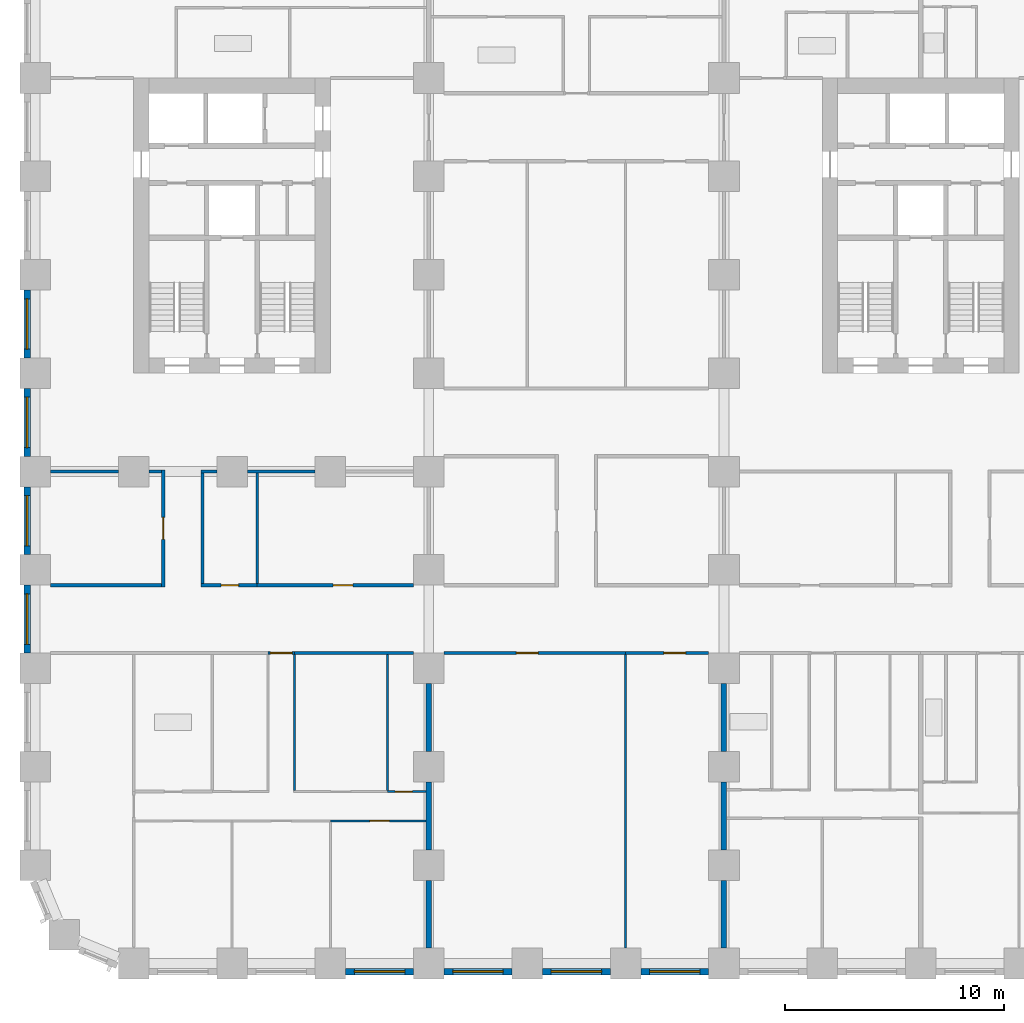
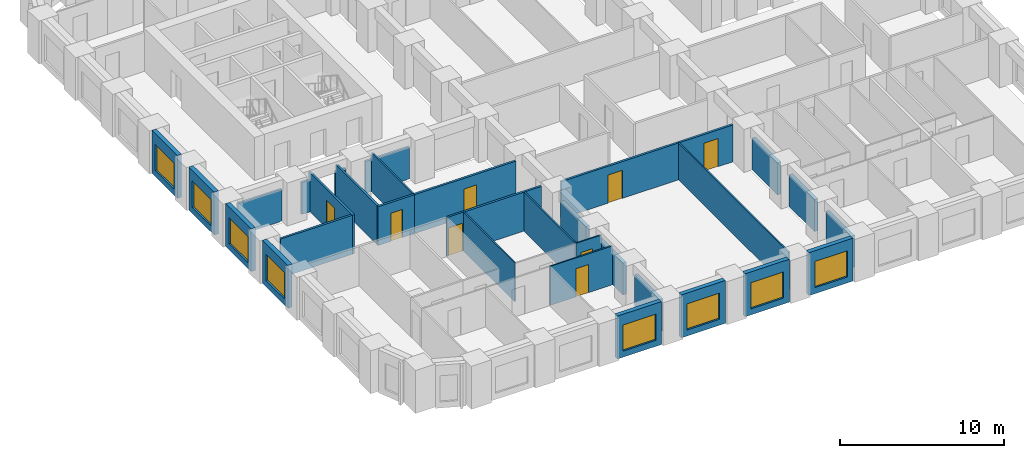
# One storey, part 3 of 13: 33 walls, 8 doors, 8 windows, 16 openings.
"""IFC4 building model written with IfcOpenShell, lengths in metres."""

from ifc_helpers import new_model, si_unit, direction, frame, frame_2d, origin, place, context, subcontext, project, spatial, rectangle, extrude, material, layer, layer_set, type_object, element, fill, save


model = new_model("IFC4")

# Units and contexts
model_context = context("Model", 3, precision=1e-05, world=origin(), true_north=direction((0.0, 1.0)))
body_context = subcontext(model_context, "Body", "Model", "MODEL_VIEW")
ifc_project = project(units=[si_unit("LENGTHUNIT", "METRE"), si_unit("AREAUNIT", "SQUARE_METRE"), si_unit("VOLUMEUNIT", "CUBIC_METRE"), si_unit("PLANEANGLEUNIT", "RADIAN"), si_unit("MASSUNIT", "GRAM", prefix="KILO")], contexts=[model_context])

# Site, building, storey
site_placement = place(None, origin())
site = spatial("IfcSite", under=ifc_project, at=site_placement, CompositionType="ELEMENT")
building_placement = place(site_placement, origin())
building = spatial("IfcBuilding", under=site, at=building_placement, Name="Girih Gate Residences", CompositionType="ELEMENT")
storey_placement = place(building_placement, frame((0.0, 0.0, 52.800048828125)))
storey = spatial("IfcBuildingStorey", under=building, at=storey_placement, Name="L13", CompositionType="ELEMENT", Elevation=52.800048828125)

# Walls
ifc_material_1 = material(Name="Gypsum board on steel studs", Category="steel")
ifc_layer_1 = layer(ifc_material_1, 0.25)
ifc_layer_set_1 = layer_set([ifc_layer_1], Name="Acoustic separating wall 250 mm")
wall_type_1 = type_object("IfcWallType", Name="Acoustic separating wall 250 mm", PredefinedType="PARTITIONING", material=ifc_layer_set_1)
for number, where, z_axis, x_axis, name in (
    (1, (18.0, 5.199951171875, 0.0), (0.0, 0.0, 1.0), (0.0, 1.0, 0.0), "L13 partition"),
    (2, (18.0, 0.699951171875, 0.0), (0.0, 0.0, 1.0), (0.0, 1.0, 0.0), "L13 partition"),
    (3, (18.0, 9.699951171875, 0.0), (0.0, 0.0, 1.0), (0.0, 1.0, 0.0), "L13 partition"),
    (4, (31.5, 9.699951171875, 0.0), (0.0, 0.0, 1.0), (0.0, 1.0, 0.0), "L13 partition"),
    (5, (31.5, 0.699951171875, 0.0), (0.0, 0.0, 1.0), (0.0, 1.0, 0.0), "L13 partition"),
    (6, (31.5, 5.199951171875, 0.0), (0.0, 0.0, 1.0), (0.0, 1.0, 0.0), "L13 partition"),
):
    element("IfcWall", number, at=place(storey_placement, frame(where, z_axis=z_axis, x_axis=x_axis)), inside=storey, type_object=wall_type_1, Name=name, PredefinedType="PARTITIONING", context=body_context, shape_type="SweptSolid", body=[
        extrude(rectangle(XDim=3.10009765625, YDim=0.25, at=frame_2d((1.550048828125, 0.0))), origin(), (0.0, 0.0, 1.0), 2.3798828125),
    ])

# Wall, opening, door
ifc_layer_2 = layer(ifc_material_1, 0.14990234375)
ifc_layer_set_2 = layer_set([ifc_layer_2], Name="Compartment wall 150 mm")
wall_type_2 = type_object("IfcWallType", Name="Compartment wall 150 mm", PredefinedType="PARTITIONING", material=ifc_layer_set_2)
wall_1_placement = place(storey_placement, frame((11.85009765625, 14.199951171875, 0.0), z_axis=(0.0, 0.0, 1.0), x_axis=(-1.0, 0.0, 0.0)))
wall_1 = element("IfcWall", 7, at=wall_1_placement, inside=storey, type_object=wall_type_2, Name="L13 partition", PredefinedType="PARTITIONING", context=body_context, shape_type="SweptSolid", body=[
    extrude(rectangle(XDim=1.2001953125, YDim=0.14990234375, at=frame_2d((0.60009765625, 0.0))), origin(), (0.0, 0.0, 1.0), 2.89990234375),
])
opening_1_placement = place(wall_1_placement, frame((0.10009765625, 0.0, 0.0)))
opening_1 = element("IfcOpeningElement", 8, at=opening_1_placement, cuts=wall_1, Name="Opening A13-009", PredefinedType="OPENING", context=body_context, shape_type="SweptSolid", body=[
    extrude(rectangle(XDim=1.0, YDim=2.10009765625, at=frame_2d((0.5, 1.050048828125))), frame((0.0, 0.0849609375, 0.0), z_axis=(0.0, -1.0, 0.0), x_axis=(1.0, 0.0, 0.0)), (0.0, 0.0, 1.0), 0.169921875),
])
ifc_material_2 = material(Name="Timber, fire-rated core", Category="wood")
door_type_1 = type_object("IfcDoorType", Name="Flat entrance door 1000x2100 FD30S", OperationType="NOTDEFINED", PredefinedType="DOOR", material=ifc_material_2)
door_1_placement = place(opening_1_placement, origin())
door_1 = element("IfcDoor", 9, at=door_1_placement, inside=storey, type_object=door_type_1, Name="Door A13-009", OperationType="SINGLE_SWING_RIGHT", OverallHeight=2.10009765625, OverallWidth=1.0, PredefinedType="DOOR", context=body_context, shape_type="SweptSolid", body=[
    extrude(rectangle(XDim=1.0, YDim=2.10009765625, at=frame_2d((0.5, 1.050048828125))), frame((0.0, 0.02490234375, 0.0), z_axis=(0.0, -1.0, 0.0), x_axis=(1.0, 0.0, 0.0)), (0.0, 0.0, 1.0), 0.050048828125),
])
fill(opening_1, door_1)

# Wall
wall_2_placement = place(storey_placement, frame((11.85009765625, 14.199951171875, 0.0), z_axis=(0.0, 0.0, 1.0), x_axis=(1.0, 0.0, 0.0)))
element("IfcWall", 10, at=wall_2_placement, inside=storey, type_object=wall_type_2, Name="L13 partition", PredefinedType="PARTITIONING", context=body_context, shape_type="SweptSolid", body=[
    extrude(rectangle(XDim=5.449951171875, YDim=0.14990234375, at=frame_2d((2.72509765625, 0.0))), origin(), (0.0, 0.0, 1.0), 2.89990234375),
])

# Wall, opening, door
wall_3_placement = place(storey_placement, frame((27.0, 14.199951171875, 0.0), z_axis=(0.0, 0.0, 1.0), x_axis=(-1.0, 0.0, 0.0)))
wall_3 = element("IfcWall", 11, at=wall_3_placement, inside=storey, type_object=wall_type_2, Name="L13 partition", PredefinedType="PARTITIONING", context=body_context, shape_type="SweptSolid", body=[
    extrude(rectangle(XDim=8.300048828125, YDim=0.14990234375, at=frame_2d((4.14990234375, 0.0))), origin(), (0.0, 0.0, 1.0), 2.75),
])
opening_2_placement = place(wall_3_placement, frame((4.0, 0.0, 0.0)))
opening_2 = element("IfcOpeningElement", 12, at=opening_2_placement, cuts=wall_3, Name="Opening A13-050", PredefinedType="OPENING", context=body_context, shape_type="SweptSolid", body=[
    extrude(rectangle(XDim=1.0, YDim=2.10009765625, at=frame_2d((0.5, 1.050048828125))), frame((0.0, 0.0849609375, 0.0), z_axis=(0.0, -1.0, 0.0), x_axis=(1.0, 0.0, 0.0)), (0.0, 0.0, 1.0), 0.169921875),
])
door_type_2 = type_object("IfcDoorType", Name="Amenity room door 1000x2100 FD30S", OperationType="NOTDEFINED", PredefinedType="DOOR", material=ifc_material_2)
door_2_placement = place(opening_2_placement, origin())
door_2 = element("IfcDoor", 13, at=door_2_placement, inside=storey, type_object=door_type_2, Name="Door A13-050", OperationType="SINGLE_SWING_RIGHT", OverallHeight=2.10009765625, OverallWidth=1.0, PredefinedType="DOOR", context=body_context, shape_type="SweptSolid", body=[
    extrude(rectangle(XDim=1.0, YDim=2.10009765625, at=frame_2d((0.5, 1.050048828125))), frame((0.0, 0.02490234375, 0.0), z_axis=(0.0, -1.0, 0.0), x_axis=(1.0, 0.0, 0.0)), (0.0, 0.0, 1.0), 0.050048828125),
])
fill(opening_2, door_2)

wall_4_placement = place(storey_placement, frame((30.800048828125, 14.199951171875, 0.0), z_axis=(0.0, 0.0, 1.0), x_axis=(-1.0, 0.0, 0.0)))
wall_4 = element("IfcWall", 14, at=wall_4_placement, inside=storey, type_object=wall_type_2, Name="L13 partition", PredefinedType="PARTITIONING", context=body_context, shape_type="SweptSolid", body=[
    extrude(rectangle(XDim=3.800048828125, YDim=0.14990234375, at=frame_2d((1.89990234375, 0.0))), origin(), (0.0, 0.0, 1.0), 2.75),
])
opening_3_placement = place(wall_4_placement, frame((1.050048828125, 0.0, 0.0)))
opening_3 = element("IfcOpeningElement", 15, at=opening_3_placement, cuts=wall_4, Name="Opening A13-051", PredefinedType="OPENING", context=body_context, shape_type="SweptSolid", body=[
    extrude(rectangle(XDim=1.0, YDim=2.10009765625, at=frame_2d((0.5, 1.050048828125))), frame((0.0, 0.0849609375, 0.0), z_axis=(0.0, -1.0, 0.0), x_axis=(1.0, 0.0, 0.0)), (0.0, 0.0, 1.0), 0.169921875),
])
door_3_placement = place(opening_3_placement, origin())
door_3 = element("IfcDoor", 16, at=door_3_placement, inside=storey, type_object=door_type_2, Name="Door A13-051", OperationType="SINGLE_SWING_LEFT", OverallHeight=2.10009765625, OverallWidth=1.0, PredefinedType="DOOR", context=body_context, shape_type="SweptSolid", body=[
    extrude(rectangle(XDim=1.0, YDim=2.10009765625, at=frame_2d((0.5, 1.050048828125))), frame((0.0, 0.02490234375, 0.0), z_axis=(0.0, -1.0, 0.0), x_axis=(1.0, 0.0, 0.0)), (0.0, 0.0, 1.0), 0.050048828125),
])
fill(opening_3, door_3)

wall_5_placement = place(storey_placement, frame((10.14990234375, 17.300048828125, 0.0), z_axis=(0.0, 0.0, 1.0), x_axis=(1.0, 0.0, 0.0)))
wall_5 = element("IfcWall", 17, at=wall_5_placement, inside=storey, type_object=wall_type_2, Name="L13 partition", PredefinedType="PARTITIONING", context=body_context, shape_type="SweptSolid", body=[
    extrude(rectangle(XDim=7.150146484375, YDim=0.14990234375, at=frame_2d((3.5751953125, 0.0))), origin(), (0.0, 0.0, 1.0), 2.89990234375),
])
opening_4_placement = place(wall_5_placement, frame((3.47509765625, 0.0, 0.0)))
opening_4 = element("IfcOpeningElement", 18, at=opening_4_placement, cuts=wall_5, Name="Opening A13-055", PredefinedType="OPENING", context=body_context, shape_type="SweptSolid", body=[
    extrude(rectangle(XDim=0.89990234375, YDim=2.10009765625, at=frame_2d((0.449951171875, 1.050048828125))), frame((0.0, 0.0849609375, 0.0), z_axis=(0.0, -1.0, 0.0), x_axis=(1.0, 0.0, 0.0)), (0.0, 0.0, 1.0), 0.169921875),
])
ifc_material_3 = material(Name="Timber", Category="wood")
door_type_3 = type_object("IfcDoorType", Name="Service room door 900x2100", OperationType="NOTDEFINED", PredefinedType="DOOR", material=ifc_material_3)
door_4_placement = place(opening_4_placement, origin())
door_4 = element("IfcDoor", 19, at=door_4_placement, inside=storey, type_object=door_type_3, Name="Door A13-055", OperationType="SINGLE_SWING_RIGHT", OverallHeight=2.10009765625, OverallWidth=0.89990234375, PredefinedType="DOOR", context=body_context, shape_type="SweptSolid", body=[
    extrude(rectangle(XDim=0.89990234375, YDim=2.10009765625, at=frame_2d((0.449951171875, 1.050048828125))), frame((0.0, 0.02490234375, 0.0), z_axis=(0.0, -1.0, 0.0), x_axis=(1.0, 0.0, 0.0)), (0.0, 0.0, 1.0), 0.050048828125),
])
fill(opening_4, door_4)

wall_6_placement = place(storey_placement, frame((7.574951171875, 17.300048828125, 0.0), z_axis=(0.0, 0.0, 1.0), x_axis=(1.0, 0.0, 0.0)))
wall_6 = element("IfcWall", 20, at=wall_6_placement, inside=storey, type_object=wall_type_2, Name="L13 partition", PredefinedType="PARTITIONING", context=body_context, shape_type="SweptSolid", body=[
    extrude(rectangle(XDim=2.574951171875, YDim=0.14990234375, at=frame_2d((1.28759765625, 0.0))), origin(), (0.0, 0.0, 1.0), 2.89990234375),
])
opening_5_placement = place(wall_6_placement, frame((0.925048828125, 0.0, 0.0)))
opening_5 = element("IfcOpeningElement", 21, at=opening_5_placement, cuts=wall_6, Name="Opening A13-057", PredefinedType="OPENING", context=body_context, shape_type="SweptSolid", body=[
    extrude(rectangle(XDim=0.800048828125, YDim=2.10009765625, at=frame_2d((0.39990234375, 1.050048828125))), frame((0.0, 0.0849609375, 0.0), z_axis=(0.0, -1.0, 0.0), x_axis=(1.0, 0.0, 0.0)), (0.0, 0.0, 1.0), 0.169921875),
])
door_type_4 = type_object("IfcDoorType", Name="Bathroom door 800x2100", OperationType="NOTDEFINED", PredefinedType="DOOR", material=ifc_material_3)
door_5_placement = place(opening_5_placement, origin())
door_5 = element("IfcDoor", 22, at=door_5_placement, inside=storey, type_object=door_type_4, Name="Door A13-057", OperationType="SINGLE_SWING_RIGHT", OverallHeight=2.10009765625, OverallWidth=0.800048828125, PredefinedType="DOOR", context=body_context, shape_type="SweptSolid", body=[
    extrude(rectangle(XDim=0.800048828125, YDim=2.10009765625, at=frame_2d((0.39990234375, 1.050048828125))), frame((0.0, 0.02490234375, 0.0), z_axis=(0.0, -1.0, 0.0), x_axis=(1.0, 0.0, 0.0)), (0.0, 0.0, 1.0), 0.050048828125),
])
fill(opening_5, door_5)

# Walls
wall_7_placement = place(storey_placement, frame((0.699951171875, 17.300048828125, 0.0), z_axis=(0.0, 0.0, 1.0), x_axis=(1.0, 0.0, 0.0)))
element("IfcWall", 23, at=wall_7_placement, inside=storey, type_object=wall_type_2, Name="L13 partition", PredefinedType="PARTITIONING", context=body_context, shape_type="SweptSolid", body=[
    extrude(rectangle(XDim=5.074951171875, YDim=0.14990234375, at=frame_2d((2.53759765625, 0.0))), origin(), (0.0, 0.0, 1.0), 2.89990234375),
])
wall_8_placement = place(storey_placement, frame((9.699951171875, 22.5, 0.0), z_axis=(0.0, 0.0, 1.0), x_axis=(1.0, 0.0, 0.0)))
element("IfcWall", 24, at=wall_8_placement, inside=storey, type_object=wall_type_2, Name="L13 partition", PredefinedType="PARTITIONING", context=body_context, shape_type="SweptSolid", body=[
    extrude(rectangle(XDim=3.10009765625, YDim=0.14990234375, at=frame_2d((1.550048828125, 0.0))), origin(), (0.0, 0.0, 1.0), 2.3798828125),
])
wall_9_placement = place(storey_placement, frame((7.574951171875, 22.5, 0.0), z_axis=(0.0, 0.0, 1.0), x_axis=(1.0, 0.0, 0.0)))
element("IfcWall", 25, at=wall_9_placement, inside=storey, type_object=wall_type_2, Name="L13 partition", PredefinedType="PARTITIONING", context=body_context, shape_type="SweptSolid", body=[
    extrude(rectangle(XDim=0.72509765625, YDim=0.14990234375, at=frame_2d((0.362548828125, 0.0))), origin(), (0.0, 0.0, 1.0), 2.3798828125),
])
wall_10_placement = place(storey_placement, frame((5.199951171875, 22.5, 0.0), z_axis=(0.0, 0.0, 1.0), x_axis=(1.0, 0.0, 0.0)))
element("IfcWall", 26, at=wall_10_placement, inside=storey, type_object=wall_type_2, Name="L13 partition", PredefinedType="PARTITIONING", context=body_context, shape_type="SweptSolid", body=[
    extrude(rectangle(XDim=0.574951171875, YDim=0.14990234375, at=frame_2d((0.28759765625, 0.0))), origin(), (0.0, 0.0, 1.0), 2.3798828125),
])
wall_11_placement = place(storey_placement, frame((0.699951171875, 22.5, 0.0), z_axis=(0.0, 0.0, 1.0), x_axis=(1.0, 0.0, 0.0)))
element("IfcWall", 27, at=wall_11_placement, inside=storey, type_object=wall_type_2, Name="L13 partition", PredefinedType="PARTITIONING", context=body_context, shape_type="SweptSolid", body=[
    extrude(rectangle(XDim=3.10009765625, YDim=0.14990234375, at=frame_2d((1.550048828125, 0.0))), origin(), (0.0, 0.0, 1.0), 2.3798828125),
])
wall_12_placement = place(storey_placement, frame((7.64990234375, 17.375, 0.0), z_axis=(0.0, 0.0, 1.0), x_axis=(0.0, 1.0, 0.0)))
element("IfcWall", 28, at=wall_12_placement, inside=storey, type_object=wall_type_2, Name="L13 partition", PredefinedType="PARTITIONING", context=body_context, shape_type="SweptSolid", body=[
    extrude(rectangle(XDim=5.050048828125, YDim=0.14990234375, at=frame_2d((2.52490234375, 0.0))), origin(), (0.0, 0.0, 1.0), 2.89990234375),
])

# Wall, opening, door
wall_13_placement = place(storey_placement, frame((5.85009765625, 17.22509765625, 0.0), z_axis=(0.0, 0.0, 1.0), x_axis=(0.0, 1.0, 0.0)))
wall_13 = element("IfcWall", 29, at=wall_13_placement, inside=storey, type_object=wall_type_2, Name="L13 partition", PredefinedType="PARTITIONING", context=body_context, shape_type="SweptSolid", body=[
    extrude(rectangle(XDim=5.349853515625, YDim=0.14990234375, at=frame_2d((2.6748046875, 0.0))), origin(), (0.0, 0.0, 1.0), 2.89990234375),
])
opening_6_placement = place(wall_13_placement, frame((2.175048828125, 0.0, 0.0)))
opening_6 = element("IfcOpeningElement", 30, at=opening_6_placement, cuts=wall_13, Name="Opening A13-059", PredefinedType="OPENING", context=body_context, shape_type="SweptSolid", body=[
    extrude(rectangle(XDim=1.0, YDim=2.10009765625, at=frame_2d((0.5, 1.050048828125))), frame((0.0, 0.0849609375, 0.0), z_axis=(0.0, -1.0, 0.0), x_axis=(1.0, 0.0, 0.0)), (0.0, 0.0, 1.0), 0.169921875),
])
door_6_placement = place(opening_6_placement, origin())
door_6 = element("IfcDoor", 31, at=door_6_placement, inside=storey, type_object=door_type_2, Name="Door A13-059", OperationType="SINGLE_SWING_LEFT", OverallHeight=2.10009765625, OverallWidth=1.0, PredefinedType="DOOR", context=body_context, shape_type="SweptSolid", body=[
    extrude(rectangle(XDim=1.0, YDim=2.10009765625, at=frame_2d((0.5, 1.050048828125))), frame((0.0, 0.02490234375, 0.0), z_axis=(0.0, -1.0, 0.0), x_axis=(1.0, 0.0, 0.0)), (0.0, 0.0, 1.0), 0.050048828125),
])
fill(opening_6, door_6)

ifc_layer_3 = layer(ifc_material_1, 0.10009765625)
ifc_layer_set_3 = layer_set([ifc_layer_3], Name="Partition 100 mm")
wall_type_3 = type_object("IfcWallType", Name="Partition 100 mm", PredefinedType="PARTITIONING", material=ifc_layer_set_3)
wall_14_placement = place(storey_placement, frame((17.875, 6.52001953125, 0.0), z_axis=(0.0, 0.0, 1.0), x_axis=(-1.0, 0.0, 0.0)))
wall_14 = element("IfcWall", 32, at=wall_14_placement, inside=storey, type_object=wall_type_3, Name="L13 partition", PredefinedType="PARTITIONING", context=body_context, shape_type="SweptSolid", body=[
    extrude(rectangle(XDim=4.375, YDim=0.10009765625, at=frame_2d((2.1875, 0.0))), origin(), (0.0, 0.0, 1.0), 2.89990234375),
])
opening_7_placement = place(wall_14_placement, frame((1.675048828125, 0.0, 0.0)))
opening_7 = element("IfcOpeningElement", 33, at=opening_7_placement, cuts=wall_14, Name="Opening A13-004", PredefinedType="OPENING", context=body_context, shape_type="SweptSolid", body=[
    extrude(rectangle(XDim=0.89990234375, YDim=2.10009765625, at=frame_2d((0.449951171875, 1.050048828125))), frame((0.0, 0.06005859375, 0.0), z_axis=(0.0, -1.0, 0.0), x_axis=(1.0, 0.0, 0.0)), (0.0, 0.0, 1.0), 0.1201171875),
])
door_type_5 = type_object("IfcDoorType", Name="Bedroom door 900x2100", OperationType="NOTDEFINED", PredefinedType="DOOR", material=ifc_material_3)
door_7_placement = place(opening_7_placement, origin())
door_7 = element("IfcDoor", 34, at=door_7_placement, inside=storey, type_object=door_type_5, Name="Door A13-004", OperationType="SINGLE_SWING_LEFT", OverallHeight=2.10009765625, OverallWidth=0.89990234375, PredefinedType="DOOR", context=body_context, shape_type="SweptSolid", body=[
    extrude(rectangle(XDim=0.89990234375, YDim=2.10009765625, at=frame_2d((0.449951171875, 1.050048828125))), frame((0.0, 0.02490234375, 0.0), z_axis=(0.0, -1.0, 0.0), x_axis=(1.0, 0.0, 0.0)), (0.0, 0.0, 1.0), 0.050048828125),
])
fill(opening_7, door_7)

# Wall
wall_15_placement = place(storey_placement, frame((11.85009765625, 7.909912109375, 0.0), z_axis=(0.0, 0.0, 1.0), x_axis=(0.0, 1.0, 0.0)))
element("IfcWall", 35, at=wall_15_placement, inside=storey, type_object=wall_type_3, Name="L13 partition", PredefinedType="PARTITIONING", context=body_context, shape_type="SweptSolid", body=[
    extrude(rectangle(XDim=6.215087890625, YDim=0.10009765625, at=frame_2d((3.107421875, 0.0))), origin(), (0.0, 0.0, 1.0), 2.89990234375),
])

# Wall, opening, door
wall_16_placement = place(storey_placement, frame((16.107421875, 7.860107421875, 0.0), z_axis=(0.0, 0.0, 1.0), x_axis=(1.0, 0.0, 0.0)))
wall_16 = element("IfcWall", 36, at=wall_16_placement, inside=storey, type_object=wall_type_3, Name="L13 partition", PredefinedType="PARTITIONING", context=body_context, shape_type="SweptSolid", body=[
    extrude(rectangle(XDim=1.767578125, YDim=0.10009765625, at=frame_2d((0.8837890625, 0.0))), origin(), (0.0, 0.0, 1.0), 2.89990234375),
])
opening_8_placement = place(wall_16_placement, frame((0.34619140625, 0.0, 0.0)))
opening_8 = element("IfcOpeningElement", 37, at=opening_8_placement, cuts=wall_16, Name="Opening A13-007", PredefinedType="OPENING", context=body_context, shape_type="SweptSolid", body=[
    extrude(rectangle(XDim=0.800048828125, YDim=2.10009765625, at=frame_2d((0.39990234375, 1.050048828125))), frame((0.0, 0.06005859375, 0.0), z_axis=(0.0, -1.0, 0.0), x_axis=(1.0, 0.0, 0.0)), (0.0, 0.0, 1.0), 0.1201171875),
])
door_type_6 = type_object("IfcDoorType", Name="Store door 800x2100", OperationType="NOTDEFINED", PredefinedType="DOOR", material=ifc_material_3)
door_8_placement = place(opening_8_placement, origin())
door_8 = element("IfcDoor", 38, at=door_8_placement, inside=storey, type_object=door_type_6, Name="Door A13-007", OperationType="SINGLE_SWING_LEFT", OverallHeight=2.10009765625, OverallWidth=0.800048828125, PredefinedType="DOOR", context=body_context, shape_type="SweptSolid", body=[
    extrude(rectangle(XDim=0.800048828125, YDim=2.10009765625, at=frame_2d((0.39990234375, 1.050048828125))), frame((0.0, 0.02490234375, 0.0), z_axis=(0.0, -1.0, 0.0), x_axis=(1.0, 0.0, 0.0)), (0.0, 0.0, 1.0), 0.050048828125),
])
fill(opening_8, door_8)

# Walls
wall_17_placement = place(storey_placement, frame((16.10693359375, 7.909912109375, 0.0), z_axis=(0.0, 0.0, 1.0), x_axis=(0.0, 1.0, 0.0)))
element("IfcWall", 39, at=wall_17_placement, inside=storey, type_object=wall_type_3, Name="L13 partition", PredefinedType="PARTITIONING", context=body_context, shape_type="SweptSolid", body=[
    extrude(rectangle(XDim=6.215087890625, YDim=0.10009765625, at=frame_2d((3.107421875, 0.0))), origin(), (0.0, 0.0, 1.0), 2.89990234375),
])
wall_18_placement = place(storey_placement, frame((27.0, 0.699951171875, 0.0), z_axis=(0.0, 0.0, 1.0), x_axis=(0.0, 1.0, 0.0)))
element("IfcWall", 40, at=wall_18_placement, inside=storey, type_object=wall_type_3, Name="L13 partition", PredefinedType="PARTITIONING", context=body_context, shape_type="SweptSolid", body=[
    extrude(rectangle(XDim=13.425048828125, YDim=0.10009765625, at=frame_2d((6.71240234375, 0.0))), origin(), (0.0, 0.0, 1.0), 2.75),
])
wall_19_placement = place(storey_placement, frame((10.14990234375, 17.375, 0.0), z_axis=(0.0, 0.0, 1.0), x_axis=(0.0, 1.0, 0.0)))
element("IfcWall", 41, at=wall_19_placement, inside=storey, type_object=wall_type_3, Name="L13 partition", PredefinedType="PARTITIONING", context=body_context, shape_type="SweptSolid", body=[
    extrude(rectangle(XDim=5.050048828125, YDim=0.10009765625, at=frame_2d((2.52490234375, 0.0))), origin(), (0.0, 0.0, 1.0), 2.89990234375),
])

# Wall, opening, window
ifc_material_4 = material(Name="Precast concrete C50/60", Category="concrete")
ifc_layer_4 = layer(ifc_material_4, 0.080078125, Name="Outer leaf")
ifc_material_5 = material(Name="Rigid PIR insulation")
ifc_layer_5 = layer(ifc_material_5, 0.14990234375, Name="Insulation")
ifc_material_6 = material(Name="Precast concrete C40/50", Category="concrete")
ifc_layer_6 = layer(ifc_material_6, 0.070068359375, Name="Inner leaf")
ifc_layer_set_4 = layer_set([ifc_layer_4, ifc_layer_5, ifc_layer_6], Name="Precast concrete C50/60 external wall 300")
wall_type_4 = type_object("IfcWallType", Name="Precast concrete C50/60 external wall 300", PredefinedType="SOLIDWALL", material=ifc_layer_set_4)
wall_20_placement = place(storey_placement, frame((17.300048828125, -0.375, 0.0), z_axis=(0.0, 0.0, 1.0), x_axis=(-1.0, 0.0, 0.0)))
wall_20 = element("IfcWall", 42, at=wall_20_placement, inside=storey, type_object=wall_type_4, Name="External wall S0045_0000.2", PredefinedType="SOLIDWALL", context=body_context, shape_type="SweptSolid", body=[
    extrude(rectangle(XDim=3.10009765625, YDim=0.300048828125, at=frame_2d((1.550048828125, 0.0))), origin(), (0.0, 0.0, 1.0), 3.199951171875),
])
opening_9_placement = place(wall_20_placement, frame((0.39990234375, 0.0, 0.449951171875)))
opening_9 = element("IfcOpeningElement", 43, at=opening_9_placement, cuts=wall_20, Name="Opening W-1", PredefinedType="OPENING", context=body_context, shape_type="SweptSolid", body=[
    extrude(rectangle(XDim=2.300048828125, YDim=1.949951171875, at=frame_2d((1.14990234375, 0.97509765625))), frame((0.0, 0.159912109375, 0.0), z_axis=(0.0, -1.0, 0.0), x_axis=(1.0, 0.0, 0.0)), (0.0, 0.0, 1.0), 0.320068359375),
])
ifc_material_7 = material(Name="Double glazing in aluminium frame", Category="aluminium")
window_type = type_object("IfcWindowType", Name="Window W-1 2300x1950", PartitioningType="SINGLE_PANEL", PredefinedType="WINDOW", material=ifc_material_7)
window_1_placement = place(opening_9_placement, origin())
window_1 = element("IfcWindow", 44, at=window_1_placement, inside=storey, type_object=window_type, Name="Window W-1 S0045_0000.2", OverallHeight=1.949951171875, OverallWidth=2.300048828125, PartitioningType="SINGLE_PANEL", PredefinedType="WINDOW", context=body_context, shape_type="SweptSolid", body=[
    extrude(rectangle(XDim=2.300048828125, YDim=1.949951171875, at=frame_2d((1.14990234375, 0.97509765625))), frame((0.0, 0.030029296875, 0.0), z_axis=(0.0, -1.0, 0.0), x_axis=(1.0, 0.0, 0.0)), (0.0, 0.0, 1.0), 0.06005859375),
])
fill(opening_9, window_1)

wall_21_placement = place(storey_placement, frame((21.800048828125, -0.375, 0.0), z_axis=(0.0, 0.0, 1.0), x_axis=(-1.0, 0.0, 0.0)))
wall_21 = element("IfcWall", 45, at=wall_21_placement, inside=storey, type_object=wall_type_4, Name="External wall S0045_0000.3", PredefinedType="SOLIDWALL", context=body_context, shape_type="SweptSolid", body=[
    extrude(rectangle(XDim=3.10009765625, YDim=0.300048828125, at=frame_2d((1.550048828125, 0.0))), origin(), (0.0, 0.0, 1.0), 3.199951171875),
])
opening_10_placement = place(wall_21_placement, frame((0.39990234375, 0.0, 0.449951171875)))
opening_10 = element("IfcOpeningElement", 46, at=opening_10_placement, cuts=wall_21, Name="Opening W-1", PredefinedType="OPENING", context=body_context, shape_type="SweptSolid", body=[
    extrude(rectangle(XDim=2.300048828125, YDim=1.949951171875, at=frame_2d((1.14990234375, 0.97509765625))), frame((0.0, 0.159912109375, 0.0), z_axis=(0.0, -1.0, 0.0), x_axis=(1.0, 0.0, 0.0)), (0.0, 0.0, 1.0), 0.320068359375),
])
window_2_placement = place(opening_10_placement, origin())
window_2 = element("IfcWindow", 47, at=window_2_placement, inside=storey, type_object=window_type, Name="Window W-1 S0045_0000.3", OverallHeight=1.949951171875, OverallWidth=2.300048828125, PartitioningType="SINGLE_PANEL", PredefinedType="WINDOW", context=body_context, shape_type="SweptSolid", body=[
    extrude(rectangle(XDim=2.300048828125, YDim=1.949951171875, at=frame_2d((1.14990234375, 0.97509765625))), frame((0.0, 0.030029296875, 0.0), z_axis=(0.0, -1.0, 0.0), x_axis=(1.0, 0.0, 0.0)), (0.0, 0.0, 1.0), 0.06005859375),
])
fill(opening_10, window_2)

wall_22_placement = place(storey_placement, frame((26.300048828125, -0.375, 0.0), z_axis=(0.0, 0.0, 1.0), x_axis=(-1.0, 0.0, 0.0)))
wall_22 = element("IfcWall", 48, at=wall_22_placement, inside=storey, type_object=wall_type_4, Name="External wall S0045_0000.4", PredefinedType="SOLIDWALL", context=body_context, shape_type="SweptSolid", body=[
    extrude(rectangle(XDim=3.10009765625, YDim=0.300048828125, at=frame_2d((1.550048828125, 0.0))), origin(), (0.0, 0.0, 1.0), 3.199951171875),
])
opening_11_placement = place(wall_22_placement, frame((0.39990234375, 0.0, 0.449951171875)))
opening_11 = element("IfcOpeningElement", 49, at=opening_11_placement, cuts=wall_22, Name="Opening W-1", PredefinedType="OPENING", context=body_context, shape_type="SweptSolid", body=[
    extrude(rectangle(XDim=2.300048828125, YDim=1.949951171875, at=frame_2d((1.14990234375, 0.97509765625))), frame((0.0, 0.159912109375, 0.0), z_axis=(0.0, -1.0, 0.0), x_axis=(1.0, 0.0, 0.0)), (0.0, 0.0, 1.0), 0.320068359375),
])
window_3_placement = place(opening_11_placement, origin())
window_3 = element("IfcWindow", 50, at=window_3_placement, inside=storey, type_object=window_type, Name="Window W-1 S0045_0000.4", OverallHeight=1.949951171875, OverallWidth=2.300048828125, PartitioningType="SINGLE_PANEL", PredefinedType="WINDOW", context=body_context, shape_type="SweptSolid", body=[
    extrude(rectangle(XDim=2.300048828125, YDim=1.949951171875, at=frame_2d((1.14990234375, 0.97509765625))), frame((0.0, 0.030029296875, 0.0), z_axis=(0.0, -1.0, 0.0), x_axis=(1.0, 0.0, 0.0)), (0.0, 0.0, 1.0), 0.06005859375),
])
fill(opening_11, window_3)

wall_23_placement = place(storey_placement, frame((30.800048828125, -0.375, 0.0), z_axis=(0.0, 0.0, 1.0), x_axis=(-1.0, 0.0, 0.0)))
wall_23 = element("IfcWall", 51, at=wall_23_placement, inside=storey, type_object=wall_type_4, Name="External wall S0045_0000.5", PredefinedType="SOLIDWALL", context=body_context, shape_type="SweptSolid", body=[
    extrude(rectangle(XDim=3.10009765625, YDim=0.300048828125, at=frame_2d((1.550048828125, 0.0))), origin(), (0.0, 0.0, 1.0), 3.199951171875),
])
opening_12_placement = place(wall_23_placement, frame((0.39990234375, 0.0, 0.449951171875)))
opening_12 = element("IfcOpeningElement", 52, at=opening_12_placement, cuts=wall_23, Name="Opening W-1", PredefinedType="OPENING", context=body_context, shape_type="SweptSolid", body=[
    extrude(rectangle(XDim=2.300048828125, YDim=1.949951171875, at=frame_2d((1.14990234375, 0.97509765625))), frame((0.0, 0.159912109375, 0.0), z_axis=(0.0, -1.0, 0.0), x_axis=(1.0, 0.0, 0.0)), (0.0, 0.0, 1.0), 0.320068359375),
])
window_4_placement = place(opening_12_placement, origin())
window_4 = element("IfcWindow", 53, at=window_4_placement, inside=storey, type_object=window_type, Name="Window W-1 S0045_0000.5", OverallHeight=1.949951171875, OverallWidth=2.300048828125, PartitioningType="SINGLE_PANEL", PredefinedType="WINDOW", context=body_context, shape_type="SweptSolid", body=[
    extrude(rectangle(XDim=2.300048828125, YDim=1.949951171875, at=frame_2d((1.14990234375, 0.97509765625))), frame((0.0, 0.030029296875, 0.0), z_axis=(0.0, -1.0, 0.0), x_axis=(1.0, 0.0, 0.0)), (0.0, 0.0, 1.0), 0.06005859375),
])
fill(opening_12, window_4)

wall_24_placement = place(storey_placement, frame((-0.375, 27.699951171875, 0.0), z_axis=(0.0, 0.0, 1.0), x_axis=(0.0, 1.0, 0.0)))
wall_24 = element("IfcWall", 54, at=wall_24_placement, inside=storey, type_object=wall_type_4, Name="External wall W0000_0450.3", PredefinedType="SOLIDWALL", context=body_context, shape_type="SweptSolid", body=[
    extrude(rectangle(XDim=3.10009765625, YDim=0.300048828125, at=frame_2d((1.550048828125, 0.0))), origin(), (0.0, 0.0, 1.0), 3.199951171875),
])
opening_13_placement = place(wall_24_placement, frame((0.39990234375, 0.0, 0.449951171875)))
opening_13 = element("IfcOpeningElement", 55, at=opening_13_placement, cuts=wall_24, Name="Opening W-1", PredefinedType="OPENING", context=body_context, shape_type="SweptSolid", body=[
    extrude(rectangle(XDim=2.300048828125, YDim=1.949951171875, at=frame_2d((1.14990234375, 0.97509765625))), frame((0.0, 0.159912109375, 0.0), z_axis=(0.0, -1.0, 0.0), x_axis=(1.0, 0.0, 0.0)), (0.0, 0.0, 1.0), 0.320068359375),
])
window_5_placement = place(opening_13_placement, origin())
window_5 = element("IfcWindow", 56, at=window_5_placement, inside=storey, type_object=window_type, Name="Window W-1 W0000_0450.3", OverallHeight=1.949951171875, OverallWidth=2.300048828125, PartitioningType="SINGLE_PANEL", PredefinedType="WINDOW", context=body_context, shape_type="SweptSolid", body=[
    extrude(rectangle(XDim=2.300048828125, YDim=1.949951171875, at=frame_2d((1.14990234375, 0.97509765625))), frame((0.0, 0.030029296875, 0.0), z_axis=(0.0, -1.0, 0.0), x_axis=(1.0, 0.0, 0.0)), (0.0, 0.0, 1.0), 0.06005859375),
])
fill(opening_13, window_5)

wall_25_placement = place(storey_placement, frame((-0.375, 23.199951171875, 0.0), z_axis=(0.0, 0.0, 1.0), x_axis=(0.0, 1.0, 0.0)))
wall_25 = element("IfcWall", 57, at=wall_25_placement, inside=storey, type_object=wall_type_4, Name="External wall W0000_0450.4", PredefinedType="SOLIDWALL", context=body_context, shape_type="SweptSolid", body=[
    extrude(rectangle(XDim=3.10009765625, YDim=0.300048828125, at=frame_2d((1.550048828125, 0.0))), origin(), (0.0, 0.0, 1.0), 3.199951171875),
])
opening_14_placement = place(wall_25_placement, frame((0.39990234375, 0.0, 0.449951171875)))
opening_14 = element("IfcOpeningElement", 58, at=opening_14_placement, cuts=wall_25, Name="Opening W-1", PredefinedType="OPENING", context=body_context, shape_type="SweptSolid", body=[
    extrude(rectangle(XDim=2.300048828125, YDim=1.949951171875, at=frame_2d((1.14990234375, 0.97509765625))), frame((0.0, 0.159912109375, 0.0), z_axis=(0.0, -1.0, 0.0), x_axis=(1.0, 0.0, 0.0)), (0.0, 0.0, 1.0), 0.320068359375),
])
window_6_placement = place(opening_14_placement, origin())
window_6 = element("IfcWindow", 59, at=window_6_placement, inside=storey, type_object=window_type, Name="Window W-1 W0000_0450.4", OverallHeight=1.949951171875, OverallWidth=2.300048828125, PartitioningType="SINGLE_PANEL", PredefinedType="WINDOW", context=body_context, shape_type="SweptSolid", body=[
    extrude(rectangle(XDim=2.300048828125, YDim=1.949951171875, at=frame_2d((1.14990234375, 0.97509765625))), frame((0.0, 0.030029296875, 0.0), z_axis=(0.0, -1.0, 0.0), x_axis=(1.0, 0.0, 0.0)), (0.0, 0.0, 1.0), 0.06005859375),
])
fill(opening_14, window_6)

wall_26_placement = place(storey_placement, frame((-0.375, 18.699951171875, 0.0), z_axis=(0.0, 0.0, 1.0), x_axis=(0.0, 1.0, 0.0)))
wall_26 = element("IfcWall", 60, at=wall_26_placement, inside=storey, type_object=wall_type_4, Name="External wall W0000_0450.5", PredefinedType="SOLIDWALL", context=body_context, shape_type="SweptSolid", body=[
    extrude(rectangle(XDim=3.10009765625, YDim=0.300048828125, at=frame_2d((1.550048828125, 0.0))), origin(), (0.0, 0.0, 1.0), 3.199951171875),
])
opening_15_placement = place(wall_26_placement, frame((0.39990234375, 0.0, 0.449951171875)))
opening_15 = element("IfcOpeningElement", 61, at=opening_15_placement, cuts=wall_26, Name="Opening W-1", PredefinedType="OPENING", context=body_context, shape_type="SweptSolid", body=[
    extrude(rectangle(XDim=2.300048828125, YDim=1.949951171875, at=frame_2d((1.14990234375, 0.97509765625))), frame((0.0, 0.159912109375, 0.0), z_axis=(0.0, -1.0, 0.0), x_axis=(1.0, 0.0, 0.0)), (0.0, 0.0, 1.0), 0.320068359375),
])
window_7_placement = place(opening_15_placement, origin())
window_7 = element("IfcWindow", 62, at=window_7_placement, inside=storey, type_object=window_type, Name="Window W-1 W0000_0450.5", OverallHeight=1.949951171875, OverallWidth=2.300048828125, PartitioningType="SINGLE_PANEL", PredefinedType="WINDOW", context=body_context, shape_type="SweptSolid", body=[
    extrude(rectangle(XDim=2.300048828125, YDim=1.949951171875, at=frame_2d((1.14990234375, 0.97509765625))), frame((0.0, 0.030029296875, 0.0), z_axis=(0.0, -1.0, 0.0), x_axis=(1.0, 0.0, 0.0)), (0.0, 0.0, 1.0), 0.06005859375),
])
fill(opening_15, window_7)

wall_27_placement = place(storey_placement, frame((-0.375, 14.199951171875, 0.0), z_axis=(0.0, 0.0, 1.0), x_axis=(0.0, 1.0, 0.0)))
wall_27 = element("IfcWall", 63, at=wall_27_placement, inside=storey, type_object=wall_type_4, Name="External wall W0000_0450.6", PredefinedType="SOLIDWALL", context=body_context, shape_type="SweptSolid", body=[
    extrude(rectangle(XDim=3.10009765625, YDim=0.300048828125, at=frame_2d((1.550048828125, 0.0))), origin(), (0.0, 0.0, 1.0), 3.199951171875),
])
opening_16_placement = place(wall_27_placement, frame((0.39990234375, 0.0, 0.449951171875)))
opening_16 = element("IfcOpeningElement", 64, at=opening_16_placement, cuts=wall_27, Name="Opening W-1", PredefinedType="OPENING", context=body_context, shape_type="SweptSolid", body=[
    extrude(rectangle(XDim=2.300048828125, YDim=1.949951171875, at=frame_2d((1.14990234375, 0.97509765625))), frame((0.0, 0.159912109375, 0.0), z_axis=(0.0, -1.0, 0.0), x_axis=(1.0, 0.0, 0.0)), (0.0, 0.0, 1.0), 0.320068359375),
])
window_8_placement = place(opening_16_placement, origin())
window_8 = element("IfcWindow", 65, at=window_8_placement, inside=storey, type_object=window_type, Name="Window W-1 W0000_0450.6", OverallHeight=1.949951171875, OverallWidth=2.300048828125, PartitioningType="SINGLE_PANEL", PredefinedType="WINDOW", context=body_context, shape_type="SweptSolid", body=[
    extrude(rectangle(XDim=2.300048828125, YDim=1.949951171875, at=frame_2d((1.14990234375, 0.97509765625))), frame((0.0, 0.030029296875, 0.0), z_axis=(0.0, -1.0, 0.0), x_axis=(1.0, 0.0, 0.0)), (0.0, 0.0, 1.0), 0.06005859375),
])
fill(opening_16, window_8)

save(model, "model.ifc")
